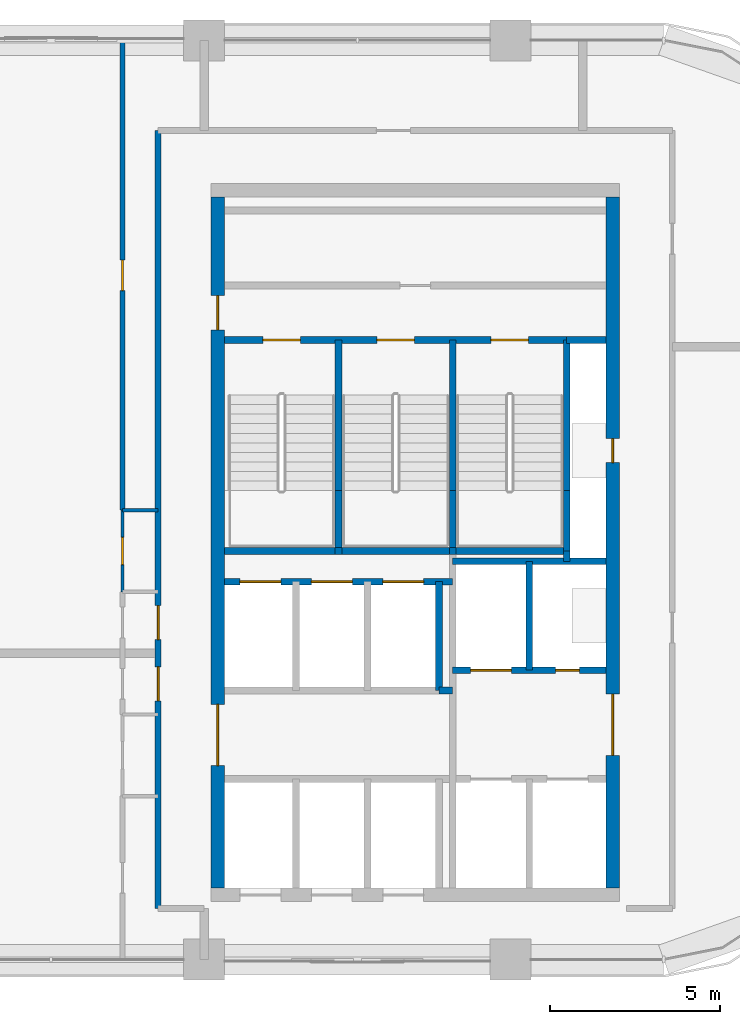
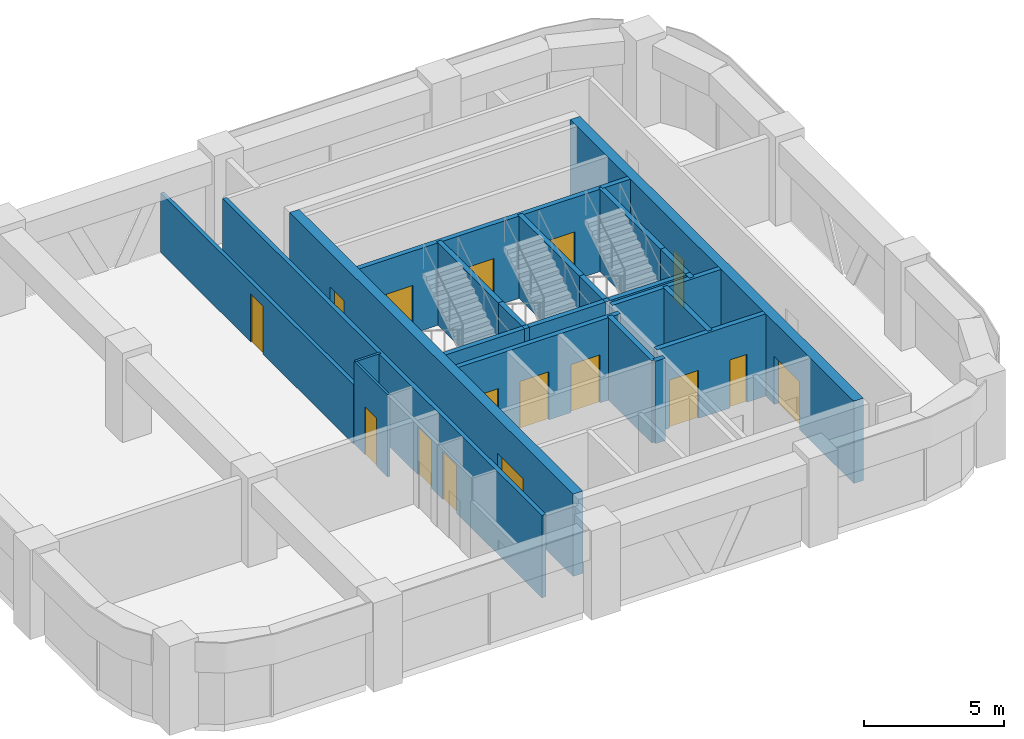
# One storey, part 7 of 9: 26 walls, 16 doors, 16 openings.
"""IFC4 building model written with IfcOpenShell, lengths in metres."""

from ifc_helpers import new_model, si_unit, direction, frame, frame_2d, origin, place, context, subcontext, project, spatial, rectangle, extrude, material, layer, layer_set, type_object, element, fill, save


model = new_model("IFC4")

# Units and contexts
model_context = context("Model", 3, precision=1e-05, world=origin(), true_north=direction((0.0, 1.0)))
body_context = subcontext(model_context, "Body", "Model", "MODEL_VIEW")
ifc_project = project(units=[si_unit("LENGTHUNIT", "METRE"), si_unit("AREAUNIT", "SQUARE_METRE"), si_unit("VOLUMEUNIT", "CUBIC_METRE"), si_unit("PLANEANGLEUNIT", "RADIAN"), si_unit("MASSUNIT", "GRAM", prefix="KILO")], contexts=[model_context])

# Site, building, storey
site_placement = place(None, origin())
site = spatial("IfcSite", under=ifc_project, at=site_placement, CompositionType="ELEMENT")
building_placement = place(site_placement, origin())
building = spatial("IfcBuilding", under=site, at=building_placement, Name="Tessera Arch", CompositionType="ELEMENT")
storey_placement = place(building_placement, frame((0.0, 0.0, 273.5)))
storey = spatial("IfcBuildingStorey", under=building, at=storey_placement, Name="L66", CompositionType="ELEMENT", Elevation=273.5)

# Wall
ifc_material_1 = material(Name="Gypsum board on steel stud", Category="steel")
ifc_layer_1 = layer(ifc_material_1, 0.125)
ifc_layer_set_1 = layer_set([ifc_layer_1], Name="Core partition 125 EI 60")
wall_type_1 = type_object("IfcWallType", Name="Core partition 125 EI 60", PredefinedType="PARTITIONING", material=ifc_layer_set_1)
wall_1_placement = place(storey_placement, frame((42.89990234375, 34.89990234375, 0.0), z_axis=(0.0, 0.0, 1.0), x_axis=(1.0, 0.0, 0.0)))
element("IfcWall", 1, at=wall_1_placement, inside=storey, type_object=wall_type_1, Name="L66 C1 partition wall 18", PredefinedType="PARTITIONING", context=body_context, shape_type="SweptSolid", body=[
    extrude(rectangle(XDim=0.400146484375, YDim=0.199951171875, at=frame_2d((0.2001953125, 0.0))), origin(), (0.0, 0.0, 1.0), 3.60009765625),
])

# Wall, openings, doors
ifc_material_2 = material(Name="Concrete C50/60", Category="concrete")
ifc_layer_2 = layer(ifc_material_2, 0.39990234375)
ifc_layer_set_2 = layer_set([ifc_layer_2], Name="Core shell wall 400 C50-60")
wall_type_2 = type_object("IfcWallType", Name="Core shell wall 400 C50-60", PredefinedType="SHEAR", material=ifc_layer_set_2)
wall_2_placement = place(storey_placement, frame((36.39990234375, 29.10009765625, 0.0), z_axis=(0.0, 0.0, 1.0), x_axis=(0.0, 1.0, 0.0)))
wall_2 = element("IfcWall", 2, at=wall_2_placement, inside=storey, type_object=wall_type_2, Name="L66 C1 core wall W", PredefinedType="SHEAR", context=body_context, shape_type="SweptSolid", body=[
    extrude(rectangle(XDim=20.2998046875, YDim=0.39990234375, at=frame_2d((10.14990234375, 0.0))), origin(), (0.0, 0.0, 1.0), 3.60009765625),
])
opening_1_placement = place(wall_2_placement, frame((3.60009765625, 0.0, 0.0)))
opening_1 = element("IfcOpeningElement", 3, at=opening_1_placement, cuts=wall_2, Name="Opening L66-C10", PredefinedType="OPENING", context=body_context, shape_type="SweptSolid", body=[
    extrude(rectangle(XDim=1.800048828125, YDim=2.10009765625, at=frame_2d((0.89990234375, 1.050048828125))), frame((0.0, 0.2099609375, 0.0), z_axis=(0.0, -1.0, 0.0), x_axis=(1.0, 0.0, 0.0)), (0.0, 0.0, 1.0), 0.419921875),
])
opening_2_placement = place(wall_2_placement, frame((16.39990234375, 0.0, 0.0)))
opening_2 = element("IfcOpeningElement", 4, at=opening_2_placement, cuts=wall_2, Name="Opening L66-C17", PredefinedType="OPENING", context=body_context, shape_type="SweptSolid", body=[
    extrude(rectangle(XDim=1.0, YDim=2.10009765625, at=frame_2d((0.5, 1.050048828125))), frame((0.0, 0.2099609375, 0.0), z_axis=(0.0, -1.0, 0.0), x_axis=(1.0, 0.0, 0.0)), (0.0, 0.0, 1.0), 0.419921875),
])
ifc_material_3 = material(Name="Steel door leaf", Category="steel")
door_type_1 = type_object("IfcDoorType", Name="Corridor door FD60 1000 x 2100", OperationType="SINGLE_SWING_LEFT", PredefinedType="DOOR", material=ifc_material_3)
door_1_placement = place(opening_2_placement, origin())
door_1 = element("IfcDoor", 5, at=door_1_placement, inside=storey, type_object=door_type_1, Name="L66 C1 door 17 C17 type D12", OperationType="SINGLE_SWING_RIGHT", OverallHeight=2.10009765625, OverallWidth=1.0, PredefinedType="DOOR", context=body_context, shape_type="SweptSolid", body=[
    extrude(rectangle(XDim=1.0, YDim=2.10009765625, at=frame_2d((0.5, 1.050048828125))), frame((0.0, 0.02490234375, 0.0), z_axis=(0.0, -1.0, 0.0), x_axis=(1.0, 0.0, 0.0)), (0.0, 0.0, 1.0), 0.050048828125),
])
fill(opening_2, door_1)
ifc_material_4 = material(Name="Glazed steel door leaf", Category="steel")
door_type_2 = type_object("IfcDoorType", Name="Lobby double door FD30S 1800 x 2100", OperationType="DOUBLE_DOOR_SINGLE_SWING", PredefinedType="DOOR", material=ifc_material_4)
door_2_placement = place(opening_1_placement, origin())
door_2 = element("IfcDoor", 6, at=door_2_placement, inside=storey, type_object=door_type_2, Name="L66 C1 door 10 C10 type D06", OperationType="DOUBLE_DOOR_SINGLE_SWING", OverallHeight=2.10009765625, OverallWidth=1.800048828125, PredefinedType="DOOR", context=body_context, shape_type="SweptSolid", body=[
    extrude(rectangle(XDim=1.800048828125, YDim=2.10009765625, at=frame_2d((0.89990234375, 1.050048828125))), frame((0.0, 0.02490234375, 0.0), z_axis=(0.0, -1.0, 0.0), x_axis=(1.0, 0.0, 0.0)), (0.0, 0.0, 1.0), 0.050048828125),
])
fill(opening_1, door_2)

wall_3_placement = place(storey_placement, frame((48.0, 29.10009765625, 0.0), z_axis=(0.0, 0.0, 1.0), x_axis=(0.0, 1.0, 0.0)))
wall_3 = element("IfcWall", 7, at=wall_3_placement, inside=storey, type_object=wall_type_2, Name="L66 C1 core wall E", PredefinedType="SHEAR", context=body_context, shape_type="SweptSolid", body=[
    extrude(rectangle(XDim=20.2998046875, YDim=0.39990234375, at=frame_2d((10.14990234375, 0.0))), origin(), (0.0, 0.0, 1.0), 3.60009765625),
])
opening_3_placement = place(wall_3_placement, frame((12.5, 0.0, 0.0)))
opening_3 = element("IfcOpeningElement", 8, at=opening_3_placement, cuts=wall_3, Name="Opening L66-C14", PredefinedType="OPENING", context=body_context, shape_type="SweptSolid", body=[
    extrude(rectangle(XDim=0.699951171875, YDim=2.10009765625, at=frame_2d((0.35009765625, 1.050048828125))), frame((0.0, 0.2099609375, 0.0), z_axis=(0.0, -1.0, 0.0), x_axis=(1.0, 0.0, 0.0)), (0.0, 0.0, 1.0), 0.419921875),
])
opening_4_placement = place(wall_3_placement, frame((3.89990234375, 0.0, 0.0)))
opening_4 = element("IfcOpeningElement", 9, at=opening_4_placement, cuts=wall_3, Name="Opening L66-C15", PredefinedType="OPENING", context=body_context, shape_type="SweptSolid", body=[
    extrude(rectangle(XDim=1.800048828125, YDim=2.10009765625, at=frame_2d((0.89990234375, 1.050048828125))), frame((0.0, 0.2099609375, 0.0), z_axis=(0.0, -1.0, 0.0), x_axis=(1.0, 0.0, 0.0)), (0.0, 0.0, 1.0), 0.419921875),
])
ifc_material_5 = material(Name="Glazed steel door leaf", Category="steel")
door_type_3 = type_object("IfcDoorType", Name="Lobby double door FD60 1800 x 2100", OperationType="DOUBLE_DOOR_SINGLE_SWING", PredefinedType="DOOR", material=ifc_material_5)
door_3_placement = place(opening_4_placement, origin())
door_3 = element("IfcDoor", 10, at=door_3_placement, inside=storey, type_object=door_type_3, Name="L66 C1 door 15 C15 type D19", OperationType="DOUBLE_DOOR_SINGLE_SWING", OverallHeight=2.10009765625, OverallWidth=1.800048828125, PredefinedType="DOOR", context=body_context, shape_type="SweptSolid", body=[
    extrude(rectangle(XDim=1.800048828125, YDim=2.10009765625, at=frame_2d((0.89990234375, 1.050048828125))), frame((0.0, 0.02490234375, 0.0), z_axis=(0.0, -1.0, 0.0), x_axis=(1.0, 0.0, 0.0)), (0.0, 0.0, 1.0), 0.050048828125),
])
fill(opening_4, door_3)
ifc_material_6 = material(Name="Steel door leaf", Category="steel")
door_type_4 = type_object("IfcDoorType", Name="Service shaft door FD60 700 x 2100", OperationType="SINGLE_SWING_LEFT", PredefinedType="DOOR", material=ifc_material_6)
door_4_placement = place(opening_3_placement, origin())
door_4 = element("IfcDoor", 11, at=door_4_placement, inside=storey, type_object=door_type_4, Name="L66 C1 door 14 C14 type D07", OperationType="SINGLE_SWING_RIGHT", OverallHeight=2.10009765625, OverallWidth=0.699951171875, PredefinedType="DOOR", context=body_context, shape_type="SweptSolid", body=[
    extrude(rectangle(XDim=0.699951171875, YDim=2.10009765625, at=frame_2d((0.35009765625, 1.050048828125))), frame((0.0, 0.02490234375, 0.0), z_axis=(0.0, -1.0, 0.0), x_axis=(1.0, 0.0, 0.0)), (0.0, 0.0, 1.0), 0.050048828125),
])
fill(opening_3, door_4)

ifc_material_7 = material(Name="Gypsum board on deep steel stud with mineral wool", Category="steel")
ifc_layer_3 = layer(ifc_material_7, 0.175048828125)
ifc_layer_set_3 = layer_set([ifc_layer_3], Name="Corridor wall 175 EI 60")
wall_type_3 = type_object("IfcWallType", Name="Corridor wall 175 EI 60", PredefinedType="PARTITIONING", material=ifc_layer_set_3)
wall_4_placement = place(storey_placement, frame((34.64990234375, 28.5, 0.0), z_axis=(0.0, 0.0, 1.0), x_axis=(0.0, 1.0, 0.0)))
wall_4 = element("IfcWall", 12, at=wall_4_placement, inside=storey, type_object=wall_type_3, Name="L66 partition 4", PredefinedType="PARTITIONING", context=body_context, shape_type="SweptSolid", body=[
    extrude(rectangle(XDim=22.85009765625, YDim=0.175048828125, at=frame_2d((11.425048828125, 0.0))), origin(), (0.0, 0.0, 1.0), 3.60009765625),
])
opening_5_placement = place(wall_4_placement, frame((6.10009765625, 0.0, 0.0)))
opening_5 = element("IfcOpeningElement", 13, at=opening_5_placement, cuts=wall_4, Name="Opening L66-D001", PredefinedType="OPENING", context=body_context, shape_type="SweptSolid", body=[
    extrude(rectangle(XDim=1.0, YDim=2.10009765625, at=frame_2d((0.5, 1.050048828125))), frame((0.0, 0.097412109375, 0.0), z_axis=(0.0, -1.0, 0.0), x_axis=(1.0, 0.0, 0.0)), (0.0, 0.0, 1.0), 0.195068359375),
])
opening_6_placement = place(wall_4_placement, frame((7.89990234375, 0.0, 0.0)))
opening_6 = element("IfcOpeningElement", 14, at=opening_6_placement, cuts=wall_4, Name="Opening L66-D006", PredefinedType="OPENING", context=body_context, shape_type="SweptSolid", body=[
    extrude(rectangle(XDim=1.0, YDim=2.10009765625, at=frame_2d((0.5, 1.050048828125))), frame((0.0, 0.097412109375, 0.0), z_axis=(0.0, -1.0, 0.0), x_axis=(1.0, 0.0, 0.0)), (0.0, 0.0, 1.0), 0.195068359375),
])
ifc_material_8 = material(Name="Fire-rated door leaf")
door_type_5 = type_object("IfcDoorType", Name="Entrance door FD30S 1000 x 2100", OperationType="SINGLE_SWING_LEFT", PredefinedType="DOOR", material=ifc_material_8)
door_5_placement = place(opening_5_placement, origin())
door_5 = element("IfcDoor", 15, at=door_5_placement, inside=storey, type_object=door_type_5, Name="L66 door D001 type D03", OperationType="SINGLE_SWING_LEFT", OverallHeight=2.10009765625, OverallWidth=1.0, PredefinedType="DOOR", context=body_context, shape_type="SweptSolid", body=[
    extrude(rectangle(XDim=1.0, YDim=2.10009765625, at=frame_2d((0.5, 1.050048828125))), frame((0.0, 0.02490234375, 0.0), z_axis=(0.0, -1.0, 0.0), x_axis=(1.0, 0.0, 0.0)), (0.0, 0.0, 1.0), 0.050048828125),
])
fill(opening_5, door_5)
door_6_placement = place(opening_6_placement, origin())
door_6 = element("IfcDoor", 16, at=door_6_placement, inside=storey, type_object=door_type_5, Name="L66 door D006 type D03", OperationType="SINGLE_SWING_LEFT", OverallHeight=2.10009765625, OverallWidth=1.0, PredefinedType="DOOR", context=body_context, shape_type="SweptSolid", body=[
    extrude(rectangle(XDim=1.0, YDim=2.10009765625, at=frame_2d((0.5, 1.050048828125))), frame((0.0, 0.02490234375, 0.0), z_axis=(0.0, -1.0, 0.0), x_axis=(1.0, 0.0, 0.0)), (0.0, 0.0, 1.0), 0.050048828125),
])
fill(opening_6, door_6)

# Wall, opening, door
ifc_material_9 = material(Name="Gypsum board on steel stud", Category="steel")
ifc_layer_4 = layer(ifc_material_9, 0.14990234375)
ifc_layer_set_4 = layer_set([ifc_layer_4], Name="Partition 150")
wall_type_4 = type_object("IfcWallType", Name="Partition 150", PredefinedType="PARTITIONING", material=ifc_layer_set_4)
wall_5_placement = place(storey_placement, frame((33.60009765625, 40.199951171875, 0.0), z_axis=(0.0, 0.0, 1.0), x_axis=(0.0, 1.0, 0.0)))
wall_5 = element("IfcWall", 17, at=wall_5_placement, inside=storey, type_object=wall_type_4, Name="L66 partition 8", PredefinedType="PARTITIONING", context=body_context, shape_type="SweptSolid", body=[
    extrude(rectangle(XDim=13.800048828125, YDim=0.14990234375, at=frame_2d((6.89990234375, 0.0))), origin(), (0.0, 0.0, 1.0), 2.60009765625),
])
opening_7_placement = place(wall_5_placement, frame((6.449951171875, 0.0, 0.0)))
opening_7 = element("IfcOpeningElement", 18, at=opening_7_placement, cuts=wall_5, Name="Opening L66-D009", PredefinedType="OPENING", context=body_context, shape_type="SweptSolid", body=[
    extrude(rectangle(XDim=0.89990234375, YDim=2.10009765625, at=frame_2d((0.449951171875, 1.050048828125))), frame((0.0, 0.0849609375, 0.0), z_axis=(0.0, -1.0, 0.0), x_axis=(1.0, 0.0, 0.0)), (0.0, 0.0, 1.0), 0.169921875),
])
ifc_material_10 = material(Name="Timber door leaf", Category="wood")
door_type_6 = type_object("IfcDoorType", Name="Room door 900 x 2100", OperationType="SINGLE_SWING_LEFT", PredefinedType="DOOR", material=ifc_material_10)
door_7_placement = place(opening_7_placement, origin())
door_7 = element("IfcDoor", 19, at=door_7_placement, inside=storey, type_object=door_type_6, Name="L66 door D009 type D01", OperationType="SINGLE_SWING_RIGHT", OverallHeight=2.10009765625, OverallWidth=0.89990234375, PredefinedType="DOOR", context=body_context, shape_type="SweptSolid", body=[
    extrude(rectangle(XDim=0.89990234375, YDim=2.10009765625, at=frame_2d((0.449951171875, 1.050048828125))), frame((0.0, 0.02490234375, 0.0), z_axis=(0.0, -1.0, 0.0), x_axis=(1.0, 0.0, 0.0)), (0.0, 0.0, 1.0), 0.050048828125),
])
fill(opening_7, door_7)

# Walls
ifc_material_11 = material(Name="Concrete C40/50", Category="concrete")
ifc_layer_5 = layer(ifc_material_11, 0.199951171875)
ifc_layer_set_5 = layer_set([ifc_layer_5], Name="Shaft wall 200 EI 120")
wall_type_5 = type_object("IfcWallType", Name="Shaft wall 200 EI 120", PredefinedType="SOLIDWALL", material=ifc_layer_set_5)
wall_6_placement = place(storey_placement, frame((42.89990234375, 34.89990234375, 0.0), z_axis=(0.0, 0.0, 1.0), x_axis=(0.0, 1.0, 0.0)))
element("IfcWall", 20, at=wall_6_placement, inside=storey, type_object=wall_type_5, Name="L66 C1 shaft wall 8", PredefinedType="SOLIDWALL", context=body_context, shape_type="SweptSolid", body=[
    extrude(rectangle(XDim=3.2001953125, YDim=0.199951171875, at=frame_2d((1.60009765625, 0.0))), origin(), (0.0, 0.0, 1.0), 3.60009765625),
])
wall_7_placement = place(storey_placement, frame((45.550048828125, 35.5, 0.0), z_axis=(0.0, 0.0, 1.0), x_axis=(0.0, 1.0, 0.0)))
element("IfcWall", 21, at=wall_7_placement, inside=storey, type_object=wall_type_5, Name="L66 C1 shaft wall 13", PredefinedType="SOLIDWALL", context=body_context, shape_type="SweptSolid", body=[
    extrude(rectangle(XDim=3.199951171875, YDim=0.199951171875, at=frame_2d((1.60009765625, 0.0))), origin(), (0.0, 0.0, 1.0), 3.60009765625),
])
wall_8_placement = place(storey_placement, frame((46.64990234375, 38.699951171875, 0.0), z_axis=(0.0, 0.0, 1.0), x_axis=(0.0, 1.0, 0.0)))
element("IfcWall", 22, at=wall_8_placement, inside=storey, type_object=wall_type_5, Name="L66 C1 shaft wall 14", PredefinedType="SOLIDWALL", context=body_context, shape_type="SweptSolid", body=[
    extrude(rectangle(XDim=0.300048828125, YDim=0.199951171875, at=frame_2d((0.14990234375, 0.0))), origin(), (0.0, 0.0, 1.0), 3.60009765625),
])

# Wall, openings, doors
wall_9_placement = place(storey_placement, frame((43.300048828125, 35.5, 0.0), z_axis=(0.0, 0.0, 1.0), x_axis=(1.0, 0.0, 0.0)))
wall_9 = element("IfcWall", 23, at=wall_9_placement, inside=storey, type_object=wall_type_5, Name="L66 C1 shaft wall 20", PredefinedType="SOLIDWALL", context=body_context, shape_type="SweptSolid", body=[
    extrude(rectangle(XDim=4.5, YDim=0.199951171875, at=frame_2d((2.25, 0.0))), origin(), (0.0, 0.0, 1.0), 3.60009765625),
])
opening_8_placement = place(wall_9_placement, frame((0.52490234375, 0.0, 0.0)))
opening_8 = element("IfcOpeningElement", 24, at=opening_8_placement, cuts=wall_9, Name="Opening L66-C09", PredefinedType="OPENING", context=body_context, shape_type="SweptSolid", body=[
    extrude(rectangle(XDim=1.199951171875, YDim=2.10009765625, at=frame_2d((0.60009765625, 1.050048828125))), frame((0.0, 0.10986328125, 0.0), z_axis=(0.0, -1.0, 0.0), x_axis=(1.0, 0.0, 0.0)), (0.0, 0.0, 1.0), 0.219970703125),
])
opening_9_placement = place(wall_9_placement, frame((3.02490234375, 0.0, 0.0)))
opening_9 = element("IfcOpeningElement", 25, at=opening_9_placement, cuts=wall_9, Name="Opening L66-C16", PredefinedType="OPENING", context=body_context, shape_type="SweptSolid", body=[
    extrude(rectangle(XDim=0.699951171875, YDim=2.10009765625, at=frame_2d((0.35009765625, 1.050048828125))), frame((0.0, 0.10986328125, 0.0), z_axis=(0.0, -1.0, 0.0), x_axis=(1.0, 0.0, 0.0)), (0.0, 0.0, 1.0), 0.219970703125),
])
door_8_placement = place(opening_9_placement, origin())
door_8 = element("IfcDoor", 26, at=door_8_placement, inside=storey, type_object=door_type_4, Name="L66 C1 door 16 C16 type D07", OperationType="SINGLE_SWING_RIGHT", OverallHeight=2.10009765625, OverallWidth=0.699951171875, PredefinedType="DOOR", context=body_context, shape_type="SweptSolid", body=[
    extrude(rectangle(XDim=0.699951171875, YDim=2.10009765625, at=frame_2d((0.35009765625, 1.050048828125))), frame((0.0, 0.02490234375, 0.0), z_axis=(0.0, -1.0, 0.0), x_axis=(1.0, 0.0, 0.0)), (0.0, 0.0, 1.0), 0.050048828125),
])
fill(opening_9, door_8)
ifc_material_12 = material(Name="Stainless steel AISI 304", Category="steel")
door_type_7 = type_object("IfcDoorType", Name="Sliding landing door 1200 x 2100", OperationType="SLIDING_TO_LEFT", PredefinedType="DOOR", material=ifc_material_12)
door_9_placement = place(opening_8_placement, origin())
door_9 = element("IfcDoor", 27, at=door_9_placement, inside=storey, type_object=door_type_7, Name="L66 SV2 lift landing door C09 type LD", OperationType="SLIDING_TO_LEFT", OverallHeight=2.10009765625, OverallWidth=1.199951171875, PredefinedType="DOOR", context=body_context, shape_type="SweptSolid", body=[
    extrude(rectangle(XDim=1.199951171875, YDim=2.10009765625, at=frame_2d((0.60009765625, 1.050048828125))), frame((0.0, 0.02490234375, 0.0), z_axis=(0.0, -1.0, 0.0), x_axis=(1.0, 0.0, 0.0)), (0.0, 0.0, 1.0), 0.050048828125),
])
fill(opening_8, door_9)

wall_10_placement = place(storey_placement, frame((36.60009765625, 38.10009765625, 0.0), z_axis=(0.0, 0.0, 1.0), x_axis=(1.0, 0.0, 0.0)))
wall_10 = element("IfcWall", 28, at=wall_10_placement, inside=storey, type_object=wall_type_5, Name="L66 C1 shaft wall 21", PredefinedType="SOLIDWALL", context=body_context, shape_type="SweptSolid", body=[
    extrude(rectangle(XDim=6.699951171875, YDim=0.199951171875, at=frame_2d((3.35009765625, 0.0))), origin(), (0.0, 0.0, 1.0), 3.60009765625),
])
opening_10_placement = place(wall_10_placement, frame((0.449951171875, 0.0, 0.0)))
opening_10 = element("IfcOpeningElement", 29, at=opening_10_placement, cuts=wall_10, Name="Opening L66-C02", PredefinedType="OPENING", context=body_context, shape_type="SweptSolid", body=[
    extrude(rectangle(XDim=1.199951171875, YDim=2.10009765625, at=frame_2d((0.60009765625, 1.050048828125))), frame((0.0, 0.10986328125, 0.0), z_axis=(0.0, -1.0, 0.0), x_axis=(1.0, 0.0, 0.0)), (0.0, 0.0, 1.0), 0.219970703125),
])
opening_11_placement = place(wall_10_placement, frame((2.550048828125, 0.0, 0.0)))
opening_11 = element("IfcOpeningElement", 30, at=opening_11_placement, cuts=wall_10, Name="Opening L66-C04", PredefinedType="OPENING", context=body_context, shape_type="SweptSolid", body=[
    extrude(rectangle(XDim=1.199951171875, YDim=2.10009765625, at=frame_2d((0.60009765625, 1.050048828125))), frame((0.0, 0.10986328125, 0.0), z_axis=(0.0, -1.0, 0.0), x_axis=(1.0, 0.0, 0.0)), (0.0, 0.0, 1.0), 0.219970703125),
])
opening_12_placement = place(wall_10_placement, frame((4.64990234375, 0.0, 0.0)))
opening_12 = element("IfcOpeningElement", 31, at=opening_12_placement, cuts=wall_10, Name="Opening L66-C06", PredefinedType="OPENING", context=body_context, shape_type="SweptSolid", body=[
    extrude(rectangle(XDim=1.199951171875, YDim=2.10009765625, at=frame_2d((0.60009765625, 1.050048828125))), frame((0.0, 0.10986328125, 0.0), z_axis=(0.0, -1.0, 0.0), x_axis=(1.0, 0.0, 0.0)), (0.0, 0.0, 1.0), 0.219970703125),
])
door_10_placement = place(opening_10_placement, origin())
door_10 = element("IfcDoor", 32, at=door_10_placement, inside=storey, type_object=door_type_7, Name="L66 HR4 lift landing door C02 type LD", OperationType="SLIDING_TO_LEFT", OverallHeight=2.10009765625, OverallWidth=1.199951171875, PredefinedType="DOOR", context=body_context, shape_type="SweptSolid", body=[
    extrude(rectangle(XDim=1.199951171875, YDim=2.10009765625, at=frame_2d((0.60009765625, 1.050048828125))), frame((0.0, 0.02490234375, 0.0), z_axis=(0.0, -1.0, 0.0), x_axis=(1.0, 0.0, 0.0)), (0.0, 0.0, 1.0), 0.050048828125),
])
fill(opening_10, door_10)
door_11_placement = place(opening_11_placement, origin())
door_11 = element("IfcDoor", 33, at=door_11_placement, inside=storey, type_object=door_type_7, Name="L66 HR5 lift landing door C04 type LD", OperationType="SLIDING_TO_LEFT", OverallHeight=2.10009765625, OverallWidth=1.199951171875, PredefinedType="DOOR", context=body_context, shape_type="SweptSolid", body=[
    extrude(rectangle(XDim=1.199951171875, YDim=2.10009765625, at=frame_2d((0.60009765625, 1.050048828125))), frame((0.0, 0.02490234375, 0.0), z_axis=(0.0, -1.0, 0.0), x_axis=(1.0, 0.0, 0.0)), (0.0, 0.0, 1.0), 0.050048828125),
])
fill(opening_11, door_11)
door_12_placement = place(opening_12_placement, origin())
door_12 = element("IfcDoor", 34, at=door_12_placement, inside=storey, type_object=door_type_7, Name="L66 HR6 lift landing door C06 type LD", OperationType="SLIDING_TO_LEFT", OverallHeight=2.10009765625, OverallWidth=1.199951171875, PredefinedType="DOOR", context=body_context, shape_type="SweptSolid", body=[
    extrude(rectangle(XDim=1.199951171875, YDim=2.10009765625, at=frame_2d((0.60009765625, 1.050048828125))), frame((0.0, 0.02490234375, 0.0), z_axis=(0.0, -1.0, 0.0), x_axis=(1.0, 0.0, 0.0)), (0.0, 0.0, 1.0), 0.050048828125),
])
fill(opening_12, door_12)

# Walls
wall_11_placement = place(storey_placement, frame((43.300048828125, 38.699951171875, 0.0), z_axis=(0.0, 0.0, 1.0), x_axis=(1.0, 0.0, 0.0)))
element("IfcWall", 35, at=wall_11_placement, inside=storey, type_object=wall_type_5, Name="L66 C1 shaft wall 22", PredefinedType="SOLIDWALL", context=body_context, shape_type="SweptSolid", body=[
    extrude(rectangle(XDim=4.5, YDim=0.199951171875, at=frame_2d((2.25, 0.0))), origin(), (0.0, 0.0, 1.0), 3.60009765625),
])
wall_12_placement = place(storey_placement, frame((46.64990234375, 45.199951171875, 0.0), z_axis=(0.0, 0.0, 1.0), x_axis=(1.0, 0.0, 0.0)))
element("IfcWall", 36, at=wall_12_placement, inside=storey, type_object=wall_type_5, Name="L66 C1 shaft wall 28", PredefinedType="SOLIDWALL", context=body_context, shape_type="SweptSolid", body=[
    extrude(rectangle(XDim=1.150146484375, YDim=0.199951171875, at=frame_2d((0.5751953125, 0.0))), origin(), (0.0, 0.0, 1.0), 3.60009765625),
])
ifc_material_13 = material(Name="Concrete C40/50", Category="concrete")
ifc_layer_6 = layer(ifc_material_13, 0.199951171875)
ifc_layer_set_6 = layer_set([ifc_layer_6], Name="Stair well wall 200 REI 180")
wall_type_6 = type_object("IfcWallType", Name="Stair well wall 200 REI 180", PredefinedType="SOLIDWALL", material=ifc_layer_set_6)
wall_13_placement = place(storey_placement, frame((39.949951171875, 39.0, 0.0), z_axis=(0.0, 0.0, 1.0), x_axis=(0.0, 1.0, 0.0)))
element("IfcWall", 37, at=wall_13_placement, inside=storey, type_object=wall_type_6, Name="L66 C1 shaft wall 3", PredefinedType="SOLIDWALL", context=body_context, shape_type="SweptSolid", body=[
    extrude(rectangle(XDim=1.780029296875, YDim=0.199951171875, at=frame_2d((0.89013671875, 0.0))), origin(), (0.0, 0.0, 1.0), 3.60009765625),
])
wall_14_placement = place(storey_placement, frame((39.949951171875, 40.780029296875, 0.0), z_axis=(0.0, 0.0, 1.0), x_axis=(0.0, 1.0, 0.0)))
element("IfcWall", 38, at=wall_14_placement, inside=storey, type_object=wall_type_6, Name="L66 C1 shaft wall 4", PredefinedType="SOLIDWALL", context=body_context, shape_type="SweptSolid", body=[
    extrude(rectangle(XDim=4.419921875, YDim=0.199951171875, at=frame_2d((2.2099609375, 0.0))), origin(), (0.0, 0.0, 1.0), 3.60009765625),
])
wall_15_placement = place(storey_placement, frame((43.300048828125, 39.0, 0.0), z_axis=(0.0, 0.0, 1.0), x_axis=(0.0, 1.0, 0.0)))
element("IfcWall", 39, at=wall_15_placement, inside=storey, type_object=wall_type_6, Name="L66 C1 shaft wall 10", PredefinedType="SOLIDWALL", context=body_context, shape_type="SweptSolid", body=[
    extrude(rectangle(XDim=1.780029296875, YDim=0.199951171875, at=frame_2d((0.89013671875, 0.0))), origin(), (0.0, 0.0, 1.0), 3.60009765625),
])
wall_16_placement = place(storey_placement, frame((43.300048828125, 40.780029296875, 0.0), z_axis=(0.0, 0.0, 1.0), x_axis=(0.0, 1.0, 0.0)))
element("IfcWall", 40, at=wall_16_placement, inside=storey, type_object=wall_type_6, Name="L66 C1 shaft wall 11", PredefinedType="SOLIDWALL", context=body_context, shape_type="SweptSolid", body=[
    extrude(rectangle(XDim=4.419921875, YDim=0.199951171875, at=frame_2d((2.2099609375, 0.0))), origin(), (0.0, 0.0, 1.0), 3.60009765625),
])
wall_17_placement = place(storey_placement, frame((46.64990234375, 39.0, 0.0), z_axis=(0.0, 0.0, 1.0), x_axis=(0.0, 1.0, 0.0)))
element("IfcWall", 41, at=wall_17_placement, inside=storey, type_object=wall_type_6, Name="L66 C1 shaft wall 15", PredefinedType="SOLIDWALL", context=body_context, shape_type="SweptSolid", body=[
    extrude(rectangle(XDim=1.780029296875, YDim=0.199951171875, at=frame_2d((0.89013671875, 0.0))), origin(), (0.0, 0.0, 1.0), 3.60009765625),
])
wall_18_placement = place(storey_placement, frame((46.64990234375, 40.780029296875, 0.0), z_axis=(0.0, 0.0, 1.0), x_axis=(0.0, 1.0, 0.0)))
element("IfcWall", 42, at=wall_18_placement, inside=storey, type_object=wall_type_6, Name="L66 C1 shaft wall 16", PredefinedType="SOLIDWALL", context=body_context, shape_type="SweptSolid", body=[
    extrude(rectangle(XDim=4.419921875, YDim=0.199951171875, at=frame_2d((2.2099609375, 0.0))), origin(), (0.0, 0.0, 1.0), 3.60009765625),
])
wall_19_placement = place(storey_placement, frame((36.60009765625, 39.0, 0.0), z_axis=(0.0, 0.0, 1.0), x_axis=(1.0, 0.0, 0.0)))
element("IfcWall", 43, at=wall_19_placement, inside=storey, type_object=wall_type_6, Name="L66 C1 shaft wall 23", PredefinedType="SOLIDWALL", context=body_context, shape_type="SweptSolid", body=[
    extrude(rectangle(XDim=3.25, YDim=0.199951171875, at=frame_2d((1.625, 0.0))), origin(), (0.0, 0.0, 1.0), 3.60009765625),
])
wall_20_placement = place(storey_placement, frame((39.85009765625, 39.0, 0.0), z_axis=(0.0, 0.0, 1.0), x_axis=(1.0, 0.0, 0.0)))
element("IfcWall", 44, at=wall_20_placement, inside=storey, type_object=wall_type_6, Name="L66 C1 shaft wall 24", PredefinedType="SOLIDWALL", context=body_context, shape_type="SweptSolid", body=[
    extrude(rectangle(XDim=0.199951171875, YDim=0.199951171875, at=frame_2d((0.10009765625, 0.0))), origin(), (0.0, 0.0, 1.0), 3.60009765625),
])
wall_21_placement = place(storey_placement, frame((40.050048828125, 39.0, 0.0), z_axis=(0.0, 0.0, 1.0), x_axis=(1.0, 0.0, 0.0)))
element("IfcWall", 45, at=wall_21_placement, inside=storey, type_object=wall_type_6, Name="L66 C1 shaft wall 25", PredefinedType="SOLIDWALL", context=body_context, shape_type="SweptSolid", body=[
    extrude(rectangle(XDim=3.14990234375, YDim=0.199951171875, at=frame_2d((1.574951171875, 0.0))), origin(), (0.0, 0.0, 1.0), 3.60009765625),
])
wall_22_placement = place(storey_placement, frame((43.199951171875, 39.0, 0.0), z_axis=(0.0, 0.0, 1.0), x_axis=(1.0, 0.0, 0.0)))
element("IfcWall", 46, at=wall_22_placement, inside=storey, type_object=wall_type_6, Name="L66 C1 shaft wall 26", PredefinedType="SOLIDWALL", context=body_context, shape_type="SweptSolid", body=[
    extrude(rectangle(XDim=0.199951171875, YDim=0.199951171875, at=frame_2d((0.10009765625, 0.0))), origin(), (0.0, 0.0, 1.0), 3.60009765625),
])
wall_23_placement = place(storey_placement, frame((43.39990234375, 39.0, 0.0), z_axis=(0.0, 0.0, 1.0), x_axis=(1.0, 0.0, 0.0)))
element("IfcWall", 47, at=wall_23_placement, inside=storey, type_object=wall_type_6, Name="L66 C1 shaft wall 27", PredefinedType="SOLIDWALL", context=body_context, shape_type="SweptSolid", body=[
    extrude(rectangle(XDim=3.25, YDim=0.199951171875, at=frame_2d((1.625, 0.0))), origin(), (0.0, 0.0, 1.0), 3.60009765625),
])

# Wall, openings, doors
wall_24_placement = place(storey_placement, frame((36.60009765625, 45.199951171875, 0.0), z_axis=(0.0, 0.0, 1.0), x_axis=(1.0, 0.0, 0.0)))
wall_24 = element("IfcWall", 48, at=wall_24_placement, inside=storey, type_object=wall_type_6, Name="L66 C1 shaft wall 29", PredefinedType="SOLIDWALL", context=body_context, shape_type="SweptSolid", body=[
    extrude(rectangle(XDim=10.0498046875, YDim=0.199951171875, at=frame_2d((5.02490234375, 0.0))), origin(), (0.0, 0.0, 1.0), 3.60009765625),
])
opening_13_placement = place(wall_24_placement, frame((1.125, 0.0, 0.0)))
opening_13 = element("IfcOpeningElement", 49, at=opening_13_placement, cuts=wall_24, Name="Opening L66-C11", PredefinedType="OPENING", context=body_context, shape_type="SweptSolid", body=[
    extrude(rectangle(XDim=1.10009765625, YDim=2.10009765625, at=frame_2d((0.550048828125, 1.050048828125))), frame((0.0, 0.10986328125, 0.0), z_axis=(0.0, -1.0, 0.0), x_axis=(1.0, 0.0, 0.0)), (0.0, 0.0, 1.0), 0.219970703125),
])
opening_14_placement = place(wall_24_placement, frame((4.47509765625, 0.0, 0.0)))
opening_14 = element("IfcOpeningElement", 50, at=opening_14_placement, cuts=wall_24, Name="Opening L66-C12", PredefinedType="OPENING", context=body_context, shape_type="SweptSolid", body=[
    extrude(rectangle(XDim=1.10009765625, YDim=2.10009765625, at=frame_2d((0.550048828125, 1.050048828125))), frame((0.0, 0.10986328125, 0.0), z_axis=(0.0, -1.0, 0.0), x_axis=(1.0, 0.0, 0.0)), (0.0, 0.0, 1.0), 0.219970703125),
])
opening_15_placement = place(wall_24_placement, frame((7.824951171875, 0.0, 0.0)))
opening_15 = element("IfcOpeningElement", 51, at=opening_15_placement, cuts=wall_24, Name="Opening L66-C13", PredefinedType="OPENING", context=body_context, shape_type="SweptSolid", body=[
    extrude(rectangle(XDim=1.10009765625, YDim=2.10009765625, at=frame_2d((0.550048828125, 1.050048828125))), frame((0.0, 0.10986328125, 0.0), z_axis=(0.0, -1.0, 0.0), x_axis=(1.0, 0.0, 0.0)), (0.0, 0.0, 1.0), 0.219970703125),
])
ifc_material_14 = material(Name="Steel door leaf", Category="steel")
door_type_8 = type_object("IfcDoorType", Name="Stair door FD60 1100 x 2100", OperationType="SINGLE_SWING_LEFT", PredefinedType="DOOR", material=ifc_material_14)
door_13_placement = place(opening_13_placement, origin())
door_13 = element("IfcDoor", 52, at=door_13_placement, inside=storey, type_object=door_type_8, Name="L66 C1 door 11 C11 type D05", OperationType="SINGLE_SWING_LEFT", OverallHeight=2.10009765625, OverallWidth=1.10009765625, PredefinedType="DOOR", context=body_context, shape_type="SweptSolid", body=[
    extrude(rectangle(XDim=1.10009765625, YDim=2.10009765625, at=frame_2d((0.550048828125, 1.050048828125))), frame((0.0, 0.02490234375, 0.0), z_axis=(0.0, -1.0, 0.0), x_axis=(1.0, 0.0, 0.0)), (0.0, 0.0, 1.0), 0.050048828125),
])
fill(opening_13, door_13)
door_14_placement = place(opening_14_placement, origin())
door_14 = element("IfcDoor", 53, at=door_14_placement, inside=storey, type_object=door_type_8, Name="L66 C1 door 12 C12 type D05", OperationType="SINGLE_SWING_RIGHT", OverallHeight=2.10009765625, OverallWidth=1.10009765625, PredefinedType="DOOR", context=body_context, shape_type="SweptSolid", body=[
    extrude(rectangle(XDim=1.10009765625, YDim=2.10009765625, at=frame_2d((0.550048828125, 1.050048828125))), frame((0.0, 0.02490234375, 0.0), z_axis=(0.0, -1.0, 0.0), x_axis=(1.0, 0.0, 0.0)), (0.0, 0.0, 1.0), 0.050048828125),
])
fill(opening_14, door_14)
door_15_placement = place(opening_15_placement, origin())
door_15 = element("IfcDoor", 54, at=door_15_placement, inside=storey, type_object=door_type_8, Name="L66 C1 door 13 C13 type D05", OperationType="SINGLE_SWING_RIGHT", OverallHeight=2.10009765625, OverallWidth=1.10009765625, PredefinedType="DOOR", context=body_context, shape_type="SweptSolid", body=[
    extrude(rectangle(XDim=1.10009765625, YDim=2.10009765625, at=frame_2d((0.550048828125, 1.050048828125))), frame((0.0, 0.02490234375, 0.0), z_axis=(0.0, -1.0, 0.0), x_axis=(1.0, 0.0, 0.0)), (0.0, 0.0, 1.0), 0.050048828125),
])
fill(opening_15, door_15)

# Wall
ifc_material_15 = material(Name="Moisture-resistant board on pre-plumbed steel stud", Category="steel")
ifc_layer_7 = layer(ifc_material_15, 0.10009765625)
ifc_layer_set_7 = layer_set([ifc_layer_7], Name="Wet wall 100")
wall_type_7 = type_object("IfcWallType", Name="Wet wall 100", PredefinedType="PARTITIONING", material=ifc_layer_set_7)
wall_25_placement = place(storey_placement, frame((33.60009765625, 40.199951171875, 0.0), z_axis=(0.0, 0.0, 1.0), x_axis=(1.0, 0.0, 0.0)))
element("IfcWall", 55, at=wall_25_placement, inside=storey, type_object=wall_type_7, Name="L66 partition 17", PredefinedType="PARTITIONING", context=body_context, shape_type="SweptSolid", body=[
    extrude(rectangle(XDim=1.0498046875, YDim=0.10009765625, at=frame_2d((0.52490234375, 0.0))), origin(), (0.0, 0.0, 1.0), 3.60009765625),
])

# Wall, opening, door
wall_26_placement = place(storey_placement, frame((33.60009765625, 37.800048828125, 0.0), z_axis=(0.0, 0.0, 1.0), x_axis=(0.0, 1.0, 0.0)))
wall_26 = element("IfcWall", 56, at=wall_26_placement, inside=storey, type_object=wall_type_7, Name="L66 partition 19", PredefinedType="PARTITIONING", context=body_context, shape_type="SweptSolid", body=[
    extrude(rectangle(XDim=2.39990234375, YDim=0.10009765625, at=frame_2d((1.199951171875, 0.0))), origin(), (0.0, 0.0, 1.0), 3.60009765625),
])
opening_16_placement = place(wall_26_placement, frame((0.800048828125, 0.0, 0.0)))
opening_16 = element("IfcOpeningElement", 57, at=opening_16_placement, cuts=wall_26, Name="Opening L66-D008", PredefinedType="OPENING", context=body_context, shape_type="SweptSolid", body=[
    extrude(rectangle(XDim=0.800048828125, YDim=2.10009765625, at=frame_2d((0.39990234375, 1.050048828125))), frame((0.0, 0.06005859375, 0.0), z_axis=(0.0, -1.0, 0.0), x_axis=(1.0, 0.0, 0.0)), (0.0, 0.0, 1.0), 0.1201171875),
])
ifc_material_16 = material(Name="Timber door leaf", Category="wood")
door_type_9 = type_object("IfcDoorType", Name="En-suite door 800 x 2100", OperationType="SINGLE_SWING_LEFT", PredefinedType="DOOR", material=ifc_material_16)
door_16_placement = place(opening_16_placement, origin())
door_16 = element("IfcDoor", 58, at=door_16_placement, inside=storey, type_object=door_type_9, Name="L66 door D008 type D02", OperationType="SINGLE_SWING_LEFT", OverallHeight=2.10009765625, OverallWidth=0.800048828125, PredefinedType="DOOR", context=body_context, shape_type="SweptSolid", body=[
    extrude(rectangle(XDim=0.800048828125, YDim=2.10009765625, at=frame_2d((0.39990234375, 1.050048828125))), frame((0.0, 0.02490234375, 0.0), z_axis=(0.0, -1.0, 0.0), x_axis=(1.0, 0.0, 0.0)), (0.0, 0.0, 1.0), 0.050048828125),
])
fill(opening_16, door_16)

save(model, "model.ifc")
